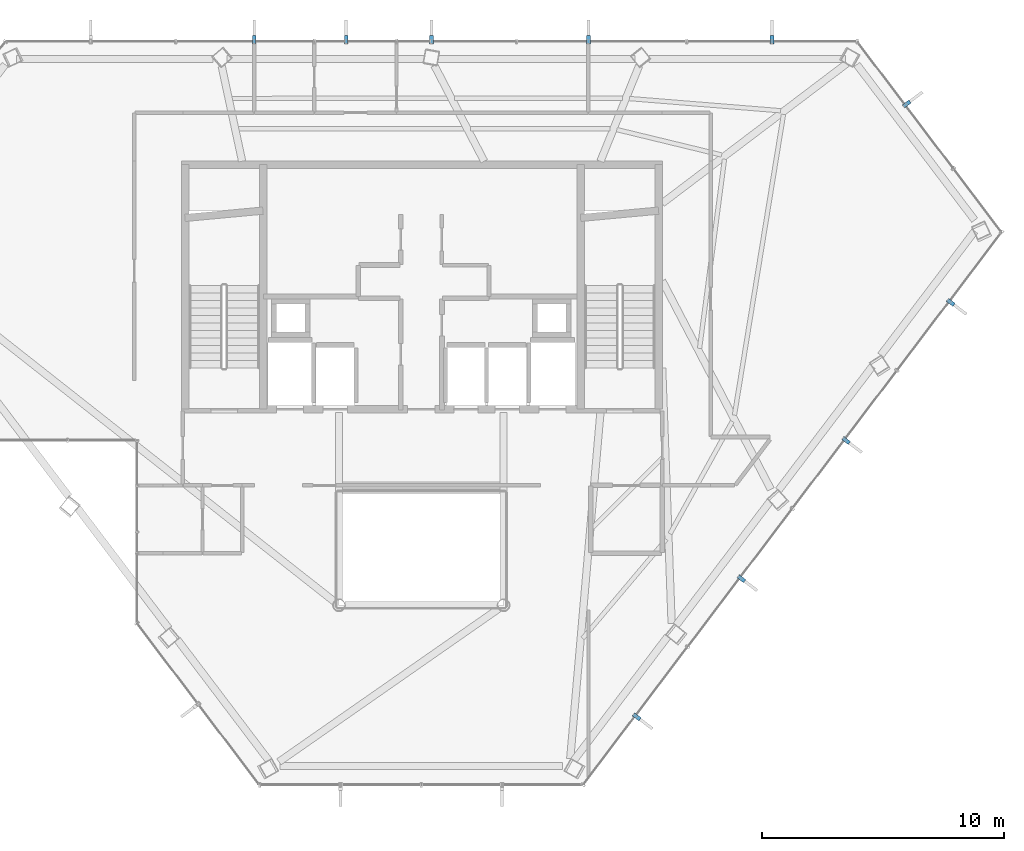
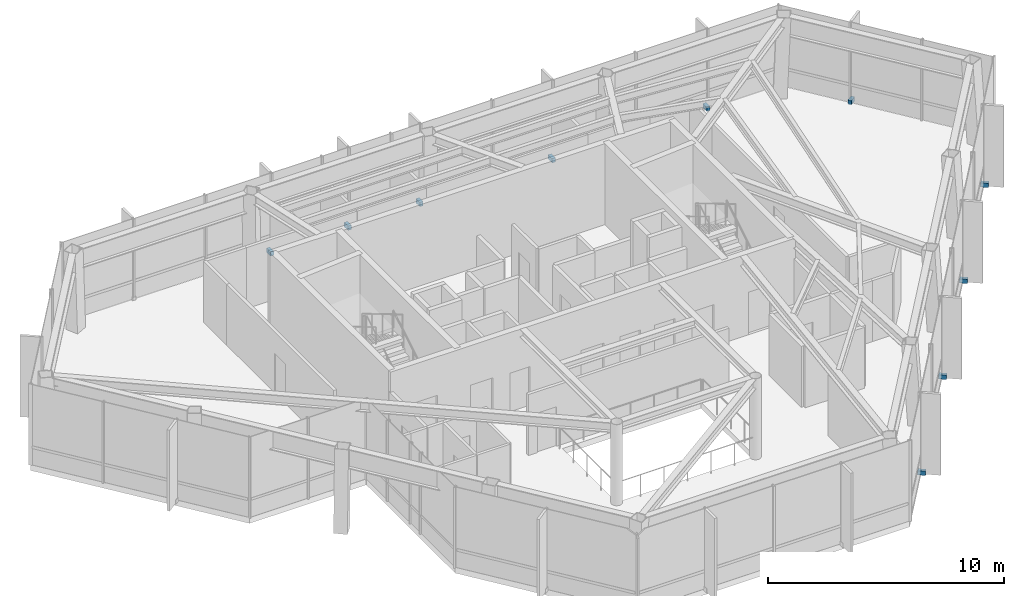
# One storey, part 21 of 22: 10 discrete accessories.
"""IFC4 building model written with IfcOpenShell, lengths in metres."""

from ifc_helpers import new_model, si_unit, direction, frame, origin, origin_2d, place, context, subcontext, project, spatial, rectangle, extrude, material, type_object, element, save


model = new_model("IFC4")

# Units and contexts
model_context = context("Model", 3, precision=1e-05, world=origin(), true_north=direction((0.0, 1.0)))
body_context = subcontext(model_context, "Body", "Model", "MODEL_VIEW")
ifc_project = project(units=[si_unit("LENGTHUNIT", "METRE"), si_unit("AREAUNIT", "SQUARE_METRE"), si_unit("VOLUMEUNIT", "CUBIC_METRE"), si_unit("PLANEANGLEUNIT", "RADIAN"), si_unit("MASSUNIT", "GRAM", prefix="KILO")], contexts=[model_context])

# Site, building, storey
site_placement = place(None, origin())
site = spatial("IfcSite", under=ifc_project, at=site_placement, CompositionType="ELEMENT")
building_placement = place(site_placement, origin())
building = spatial("IfcBuilding", under=site, at=building_placement, Name="Zarrinselat Tower", CompositionType="ELEMENT")
storey_placement = place(building_placement, frame((0.0, 0.0, 204.340087890625)))
storey = spatial("IfcBuildingStorey", under=building, at=storey_placement, Name="L50", CompositionType="ELEMENT", Elevation=204.340087890625)

# Discrete accessories
ifc_material = material(Name="Steel S355J2", Category="steel")
discrete_accessory_type = type_object("IfcDiscreteAccessoryType", Name="ACC-FIN-BRACKET", PredefinedType="BRACKET", material=ifc_material)
for number, where, z_axis, x_axis, name in (
    (1, (31.5, 48.55908203125, -0.05029296875), (0.0, 0.0, 1.0), (0.0, 1.0, 0.0), "L50 Fin Fixing Bracket CW-L50-E02-03"),
    (2, (35.299072265625, 48.55908203125, -0.05029296875), (0.0, 0.0, 1.0), (0.0, 1.0, 0.0), "L50 Fin Fixing Bracket CW-L50-E02-05"),
    (3, (38.816162109375, 48.55908203125, -0.05029296875), (0.0, 0.0, 1.0), (0.0, 1.0, 0.0), "L50 Fin Fixing Bracket CW-L50-E02-07"),
    (4, (45.300048828125, 48.55908203125, -0.05029296875), (0.0, 0.0, 1.0), (0.0, 1.0, 0.0), "L50 Fin Fixing Bracket CW-L50-E02-09"),
    (5, (52.88525390625, 48.55908203125, -0.05029296875), (0.0, 0.0, 1.0), (0.0, 1.0, 0.0), "L50 Fin Fixing Bracket CW-L50-E02-11"),
    (6, (58.44873046875, 45.904052734375, -0.05029296875), (0.0, 0.0, 1.0), (0.797096278405, 0.603852236026, 0.0), "L50 Fin Fixing Bracket CW-L50-E03-01"),
    (7, (60.267578125, 37.711669921875, -0.05029296875), (0.0, 0.0, 1.0), (0.79709179163, -0.603858158606, 0.0), "L50 Fin Fixing Bracket CW-L50-E04-01"),
    (8, (55.944580078125, 32.0048828125, -0.05029296875), (0.0, 0.0, 1.0), (0.79709179163, -0.603858158606, 0.0), "L50 Fin Fixing Bracket CW-L50-E04-03"),
    (9, (51.62109375, 26.29833984375, -0.05029296875), (0.0, 0.0, 1.0), (0.79709179163, -0.603858158606, 0.0), "L50 Fin Fixing Bracket CW-L50-E04-05"),
    (10, (47.298095703125, 20.591796875, -0.05029296875), (0.0, 0.0, 1.0), (0.79709179163, -0.603858158606, 0.0), "L50 Fin Fixing Bracket CW-L50-E04-07"),
):
    element("IfcDiscreteAccessory", number, at=place(storey_placement, frame(where, z_axis=z_axis, x_axis=x_axis)), inside=storey, type_object=discrete_accessory_type, Name=name, PredefinedType="BRACKET", context=body_context, shape_type="SweptSolid", body=[
        extrude(rectangle(XDim=0.340087890625, YDim=0.159912109375, at=origin_2d()), origin(), (0.0, 0.0, 1.0), 0.219970703125),
    ])

save(model, "model.ifc")
